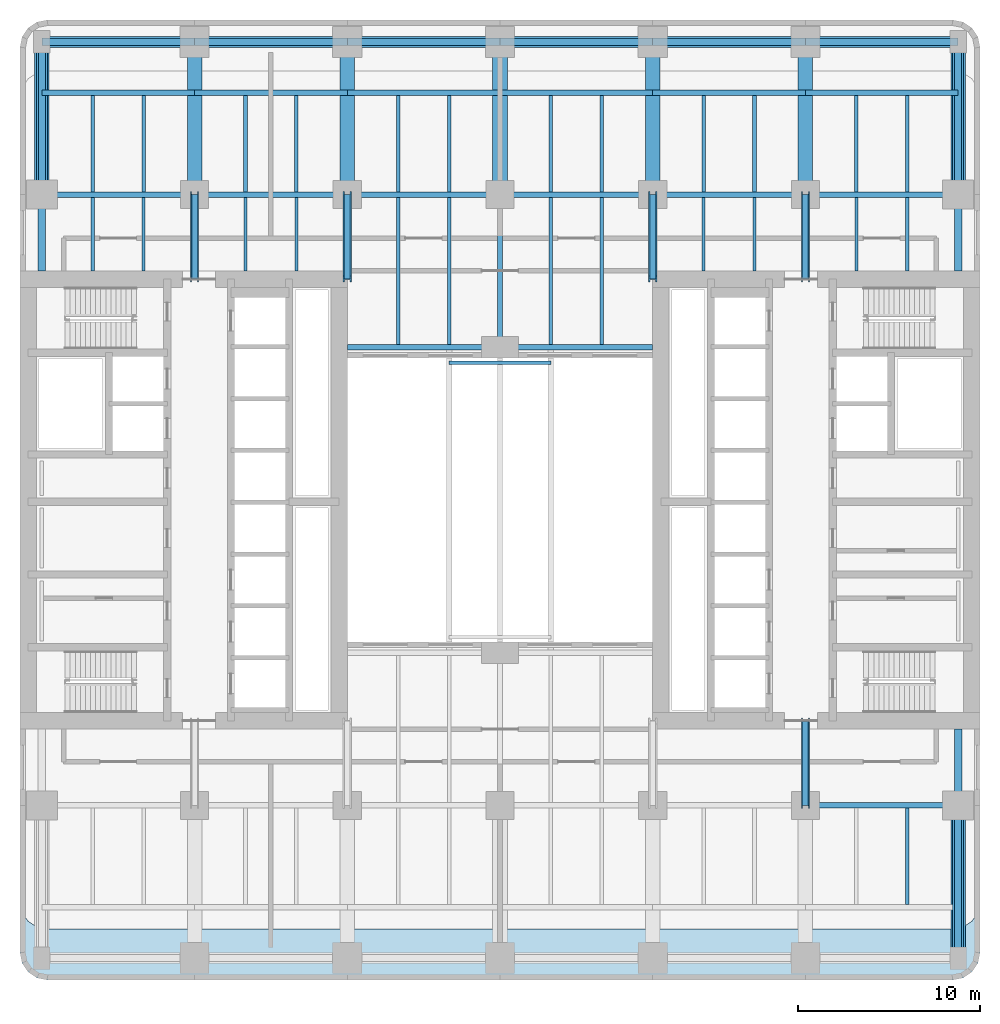
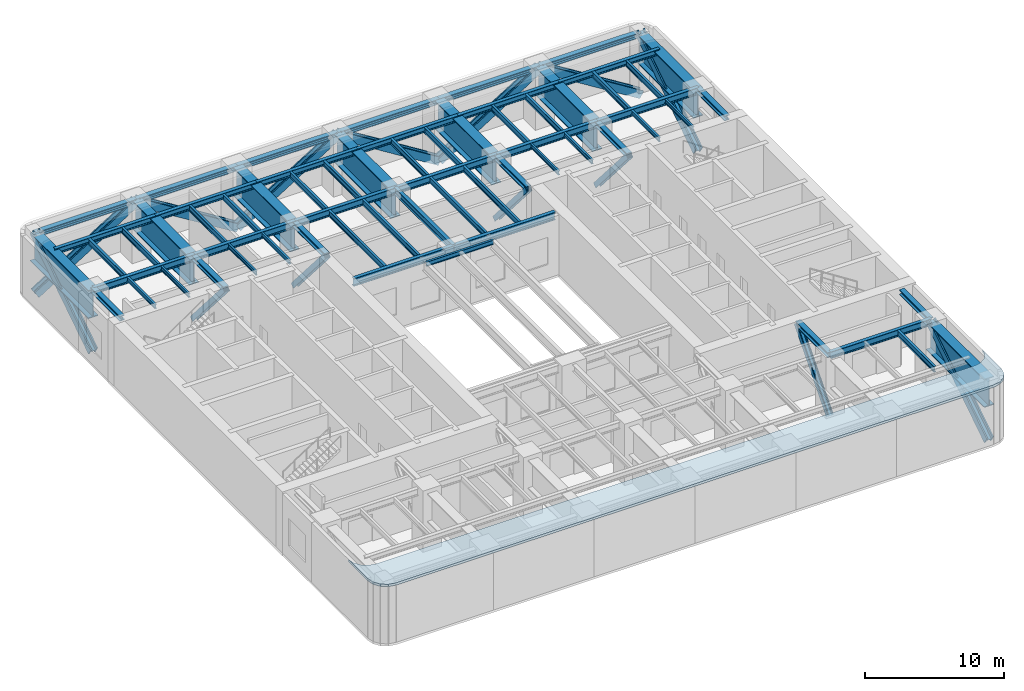
# One storey, part 2 of 11: 64 beams, 14 members, 1 slab.
"""IFC4 building model written with IfcOpenShell, lengths in metres."""

from ifc_helpers import new_model, si_unit, direction, frame, origin, origin_2d, place, context, subcontext, project, spatial, polyline, i_section, outline, extrude, material, layer, layer_set, material_profile, profile_set, type_object, element, save


model = new_model("IFC4")

# Units and contexts
model_context = context("Model", 3, precision=1e-05, world=origin(), true_north=direction((0.0, 1.0)))
body_context = subcontext(model_context, "Body", "Model", "MODEL_VIEW")
ifc_project = project(units=[si_unit("LENGTHUNIT", "METRE"), si_unit("AREAUNIT", "SQUARE_METRE"), si_unit("VOLUMEUNIT", "CUBIC_METRE"), si_unit("PLANEANGLEUNIT", "RADIAN"), si_unit("MASSUNIT", "GRAM", prefix="KILO")], contexts=[model_context])

# Site, building, storey
site_placement = place(None, origin())
site = spatial("IfcSite", under=ifc_project, at=site_placement, CompositionType="ELEMENT")
building_placement = place(site_placement, origin())
building = spatial("IfcBuilding", under=site, at=building_placement, Name="Claustro Exchange Tower", CompositionType="ELEMENT")
storey_placement = place(building_placement, frame((0.0, 0.0, 90.89990234375)))
storey = spatial("IfcBuildingStorey", under=building, at=storey_placement, Name="L20", CompositionType="ELEMENT", Elevation=90.89990234375)

# Beams
ifc_material_1 = material(Name="Steel S355", Category="steel")
ifc_material_profile_1 = material_profile(ifc_material_1, i_section(OverallWidth=0.300048828125, OverallDepth=0.60009765625, WebThickness=0.015380859375, FlangeThickness=0.030029296875, FilletRadius=0.027099609375, at=origin_2d()), Name="HE 600 B")
ifc_profile_set_1 = profile_set([ifc_material_profile_1], Name="Steel S355")
beam_type_1 = type_object("IfcBeamType", Name="B1 HE 600 B floor girder", PredefinedType="BEAM", material=ifc_profile_set_1)
for number, where, z_axis, x_axis, name in (
    (1, (25.199951171875, 33.60009765625, 4.940185546875), (0.0, 1.0, 0.0), (-1.0, 0.0, 0.0), "Beam B1 L21"),
    (2, (42.0, 8.39990234375, 4.940185546875), (1.0, 0.0, 0.0), (0.0, 1.0, 0.0), "Beam B1 L21"),
    (3, (0.0, 42.0, 4.940185546875), (1.0, 0.0, 0.0), (0.0, 1.0, 0.0), "Beam B1 L21"),
):
    element("IfcBeam", number, at=place(storey_placement, frame(where, z_axis=z_axis, x_axis=x_axis)), inside=storey, type_object=beam_type_1, Name=name, PredefinedType="BEAM", context=body_context, shape_type="SweptSolid", body=[
        extrude(i_section(OverallWidth=0.300048828125, OverallDepth=0.60009765625, WebThickness=0.015380859375, FlangeThickness=0.030029296875, FilletRadius=0.027099609375, at=origin_2d()), origin(), (0.0, 0.0, 1.0), 8.39990234375),
    ])
beam_1_placement = place(storey_placement, frame((8.39990234375, 42.0, 4.940185546875), z_axis=(1.0, 0.0, 0.0), x_axis=(0.0, 1.0, 0.0)))
element("IfcBeam", 4, at=beam_1_placement, inside=storey, type_object=beam_type_1, Name="Beam B1 L21", PredefinedType="BEAM", context=body_context, shape_type="SweptSolid", body=[
    extrude(i_section(OverallWidth=0.300048828125, OverallDepth=0.60009765625, WebThickness=0.015380859375, FlangeThickness=0.030029296875, FilletRadius=0.027099609375, at=origin_2d()), origin(), (0.0, 0.0, 1.0), 8.400146484375),
])
beam_2_placement = place(storey_placement, frame((16.800048828125, 42.0, 4.940185546875), z_axis=(1.0, 0.0, 0.0), x_axis=(0.0, 1.0, 0.0)))
element("IfcBeam", 5, at=beam_2_placement, inside=storey, type_object=beam_type_1, Name="Beam B1 L21", PredefinedType="BEAM", context=body_context, shape_type="SweptSolid", body=[
    extrude(i_section(OverallWidth=0.300048828125, OverallDepth=0.60009765625, WebThickness=0.015380859375, FlangeThickness=0.030029296875, FilletRadius=0.027099609375, at=origin_2d()), origin(), (0.0, 0.0, 1.0), 8.39990234375),
])
beam_3_placement = place(storey_placement, frame((25.199951171875, 42.0, 4.940185546875), z_axis=(1.0, 0.0, 0.0), x_axis=(0.0, 1.0, 0.0)))
element("IfcBeam", 6, at=beam_3_placement, inside=storey, type_object=beam_type_1, Name="Beam B1 L21", PredefinedType="BEAM", context=body_context, shape_type="SweptSolid", body=[
    extrude(i_section(OverallWidth=0.300048828125, OverallDepth=0.60009765625, WebThickness=0.015380859375, FlangeThickness=0.030029296875, FilletRadius=0.027099609375, at=origin_2d()), origin(), (0.0, 0.0, 1.0), 8.400146484375),
])
for number, where, z_axis, x_axis, name in (
    (7, (33.60009765625, 42.0, 4.940185546875), (1.0, 0.0, 0.0), (0.0, 1.0, 0.0), "Beam B1 L21"),
    (8, (42.0, 42.0, 4.940185546875), (1.0, 0.0, 0.0), (0.0, 1.0, 0.0), "Beam B1 L21"),
):
    element("IfcBeam", number, at=place(storey_placement, frame(where, z_axis=z_axis, x_axis=x_axis)), inside=storey, type_object=beam_type_1, Name=name, PredefinedType="BEAM", context=body_context, shape_type="SweptSolid", body=[
        extrude(i_section(OverallWidth=0.300048828125, OverallDepth=0.60009765625, WebThickness=0.015380859375, FlangeThickness=0.030029296875, FilletRadius=0.027099609375, at=origin_2d()), origin(), (0.0, 0.0, 1.0), 8.39990234375),
    ])
ifc_material_2 = material(Name="Steel S355", Category="steel")
ifc_material_profile_2 = material_profile(ifc_material_2, i_section(OverallWidth=0.300048828125, OverallDepth=0.68994140625, WebThickness=0.014404296875, FlangeThickness=0.027099609375, FilletRadius=0.027099609375, at=origin_2d()), Name="HE 700 A")
ifc_profile_set_2 = profile_set([ifc_material_profile_2], Name="Steel S355")
beam_type_2 = type_object("IfcBeamType", Name="B13 HE 700 A light well edge girder", PredefinedType="BEAM", material=ifc_profile_set_2)
beam_4_placement = place(storey_placement, frame((16.800048828125, 33.60009765625, 4.89501953125), z_axis=(1.0, 0.0, 0.0), x_axis=(0.0, 1.0, 0.0)))
element("IfcBeam", 9, at=beam_4_placement, inside=storey, type_object=beam_type_2, Name="Beam B13 L21", PredefinedType="BEAM", context=body_context, shape_type="SweptSolid", body=[
    extrude(i_section(OverallWidth=0.300048828125, OverallDepth=0.68994140625, WebThickness=0.014404296875, FlangeThickness=0.027099609375, FilletRadius=0.027099609375, at=origin_2d()), origin(), (0.0, 0.0, 1.0), 8.39990234375),
])
beam_5_placement = place(storey_placement, frame((25.199951171875, 33.60009765625, 4.89501953125), z_axis=(1.0, 0.0, 0.0), x_axis=(0.0, 1.0, 0.0)))
element("IfcBeam", 10, at=beam_5_placement, inside=storey, type_object=beam_type_2, Name="Beam B13 L21", PredefinedType="BEAM", context=body_context, shape_type="SweptSolid", body=[
    extrude(i_section(OverallWidth=0.300048828125, OverallDepth=0.68994140625, WebThickness=0.014404296875, FlangeThickness=0.027099609375, FilletRadius=0.027099609375, at=origin_2d()), origin(), (0.0, 0.0, 1.0), 8.400146484375),
])
ifc_material_3 = material(Name="Steel S355", Category="steel")
ifc_material_profile_3 = material_profile(ifc_material_3, i_section(OverallWidth=0.169921875, OverallDepth=0.360107421875, WebThickness=0.008056640625, FlangeThickness=0.0126953125, FilletRadius=0.01806640625, at=origin_2d()), Name="IPE 360")
ifc_profile_set_3 = profile_set([ifc_material_profile_3], Name="Steel S355")
beam_type_3 = type_object("IfcBeamType", Name="B16 IPE 360 short-span beam", PredefinedType="BEAM", material=ifc_profile_set_3)
for number, where, z_axis, x_axis, name in (
    (11, (2.800048828125, 37.7900390625, 5.06005859375), (0.0, 1.0, 0.0), (-1.0, 0.0, 0.0), "Beam B16 L21"),
    (12, (5.60009765625, 37.7900390625, 5.06005859375), (0.0, 1.0, 0.0), (-1.0, 0.0, 0.0), "Beam B16 L21"),
    (13, (11.199951171875, 37.7900390625, 5.06005859375), (0.0, 1.0, 0.0), (-1.0, 0.0, 0.0), "Beam B16 L21"),
    (14, (14.0, 37.7900390625, 5.06005859375), (0.0, 1.0, 0.0), (-1.0, 0.0, 0.0), "Beam B16 L21"),
    (15, (36.39990234375, 37.7900390625, 5.06005859375), (0.0, 1.0, 0.0), (-1.0, 0.0, 0.0), "Beam B16 L21"),
    (16, (39.199951171875, 37.7900390625, 5.06005859375), (0.0, 1.0, 0.0), (-1.0, 0.0, 0.0), "Beam B16 L21"),
    (17, (44.800048828125, 37.7900390625, 5.06005859375), (0.0, 1.0, 0.0), (-1.0, 0.0, 0.0), "Beam B16 L21"),
    (18, (47.60009765625, 37.7900390625, 5.06005859375), (0.0, 1.0, 0.0), (-1.0, 0.0, 0.0), "Beam B16 L21"),
):
    element("IfcBeam", number, at=place(storey_placement, frame(where, z_axis=z_axis, x_axis=x_axis)), inside=storey, type_object=beam_type_3, Name=name, PredefinedType="BEAM", context=body_context, shape_type="SweptSolid", body=[
        extrude(i_section(OverallWidth=0.169921875, OverallDepth=0.360107421875, WebThickness=0.008056640625, FlangeThickness=0.0126953125, FilletRadius=0.01806640625, at=origin_2d()), origin(), (0.0, 0.0, 1.0), 4.06005859375),
    ])
ifc_material_4 = material(Name="Steel S355", Category="steel")
ifc_material_profile_4 = material_profile(ifc_material_4, i_section(OverallWidth=0.199951171875, OverallDepth=0.5, WebThickness=0.01025390625, FlangeThickness=0.01611328125, FilletRadius=0.02099609375, at=origin_2d()), Name="IPE 500")
ifc_profile_set_4 = profile_set([ifc_material_profile_4], Name="Steel S355")
beam_type_4 = type_object("IfcBeamType", Name="B2 IPE 500 secondary beam", PredefinedType="BEAM", material=ifc_profile_set_4)
for number, where, z_axis, x_axis, name in (
    (19, (2.800048828125, 42.14990234375, 4.989990234375), (0.0, 1.0, 0.0), (-1.0, 0.0, 0.0), "Beam B2 L21"),
    (20, (5.60009765625, 42.14990234375, 4.989990234375), (0.0, 1.0, 0.0), (-1.0, 0.0, 0.0), "Beam B2 L21"),
    (21, (11.199951171875, 42.14990234375, 4.989990234375), (0.0, 1.0, 0.0), (-1.0, 0.0, 0.0), "Beam B2 L21"),
    (22, (14.0, 42.14990234375, 4.989990234375), (0.0, 1.0, 0.0), (-1.0, 0.0, 0.0), "Beam B2 L21"),
):
    element("IfcBeam", number, at=place(storey_placement, frame(where, z_axis=z_axis, x_axis=x_axis)), inside=storey, type_object=beam_type_4, Name=name, PredefinedType="BEAM", context=body_context, shape_type="SweptSolid", body=[
        extrude(i_section(OverallWidth=0.199951171875, OverallDepth=0.5, WebThickness=0.01025390625, FlangeThickness=0.01611328125, FilletRadius=0.02099609375, at=origin_2d()), origin(), (0.0, 0.0, 1.0), 5.300048828125),
    ])
for number, where, z_axis, x_axis, name in (
    (23, (19.60009765625, 33.75, 4.989990234375), (0.0, 1.0, 0.0), (-1.0, 0.0, 0.0), "Beam B2 L21"),
    (24, (22.39990234375, 33.75, 4.989990234375), (0.0, 1.0, 0.0), (-1.0, 0.0, 0.0), "Beam B2 L21"),
):
    element("IfcBeam", number, at=place(storey_placement, frame(where, z_axis=z_axis, x_axis=x_axis)), inside=storey, type_object=beam_type_4, Name=name, PredefinedType="BEAM", context=body_context, shape_type="SweptSolid", body=[
        extrude(i_section(OverallWidth=0.199951171875, OverallDepth=0.5, WebThickness=0.01025390625, FlangeThickness=0.01611328125, FilletRadius=0.02099609375, at=origin_2d()), origin(), (0.0, 0.0, 1.0), 8.10009765625),
    ])
for number, where, z_axis, x_axis, name in (
    (25, (19.60009765625, 42.14990234375, 4.989990234375), (0.0, 1.0, 0.0), (-1.0, 0.0, 0.0), "Beam B2 L21"),
    (26, (22.39990234375, 42.14990234375, 4.989990234375), (0.0, 1.0, 0.0), (-1.0, 0.0, 0.0), "Beam B2 L21"),
):
    element("IfcBeam", number, at=place(storey_placement, frame(where, z_axis=z_axis, x_axis=x_axis)), inside=storey, type_object=beam_type_4, Name=name, PredefinedType="BEAM", context=body_context, shape_type="SweptSolid", body=[
        extrude(i_section(OverallWidth=0.199951171875, OverallDepth=0.5, WebThickness=0.01025390625, FlangeThickness=0.01611328125, FilletRadius=0.02099609375, at=origin_2d()), origin(), (0.0, 0.0, 1.0), 5.300048828125),
    ])
for number, where, z_axis, x_axis, name in (
    (27, (28.0, 33.75, 4.989990234375), (0.0, 1.0, 0.0), (-1.0, 0.0, 0.0), "Beam B2 L21"),
    (28, (30.800048828125, 33.75, 4.989990234375), (0.0, 1.0, 0.0), (-1.0, 0.0, 0.0), "Beam B2 L21"),
):
    element("IfcBeam", number, at=place(storey_placement, frame(where, z_axis=z_axis, x_axis=x_axis)), inside=storey, type_object=beam_type_4, Name=name, PredefinedType="BEAM", context=body_context, shape_type="SweptSolid", body=[
        extrude(i_section(OverallWidth=0.199951171875, OverallDepth=0.5, WebThickness=0.01025390625, FlangeThickness=0.01611328125, FilletRadius=0.02099609375, at=origin_2d()), origin(), (0.0, 0.0, 1.0), 8.10009765625),
    ])
for number, where, z_axis, x_axis, name in (
    (29, (28.0, 42.14990234375, 4.989990234375), (0.0, 1.0, 0.0), (-1.0, 0.0, 0.0), "Beam B2 L21"),
    (30, (30.800048828125, 42.14990234375, 4.989990234375), (0.0, 1.0, 0.0), (-1.0, 0.0, 0.0), "Beam B2 L21"),
    (31, (36.39990234375, 42.14990234375, 4.989990234375), (0.0, 1.0, 0.0), (-1.0, 0.0, 0.0), "Beam B2 L21"),
    (32, (39.199951171875, 42.14990234375, 4.989990234375), (0.0, 1.0, 0.0), (-1.0, 0.0, 0.0), "Beam B2 L21"),
    (33, (47.60009765625, 2.949951171875, 4.989990234375), (0.0, 1.0, 0.0), (-1.0, 0.0, 0.0), "Beam B2 L21"),
    (34, (44.800048828125, 42.14990234375, 4.989990234375), (0.0, 1.0, 0.0), (-1.0, 0.0, 0.0), "Beam B2 L21"),
    (35, (47.60009765625, 42.14990234375, 4.989990234375), (0.0, 1.0, 0.0), (-1.0, 0.0, 0.0), "Beam B2 L21"),
):
    element("IfcBeam", number, at=place(storey_placement, frame(where, z_axis=z_axis, x_axis=x_axis)), inside=storey, type_object=beam_type_4, Name=name, PredefinedType="BEAM", context=body_context, shape_type="SweptSolid", body=[
        extrude(i_section(OverallWidth=0.199951171875, OverallDepth=0.5, WebThickness=0.01025390625, FlangeThickness=0.01611328125, FilletRadius=0.02099609375, at=origin_2d()), origin(), (0.0, 0.0, 1.0), 5.300048828125),
    ])
ifc_material_5 = material(Name="Steel S355", Category="steel")
ifc_material_profile_5 = material_profile(ifc_material_5, i_section(OverallWidth=0.179931640625, OverallDepth=0.39990234375, WebThickness=0.008544921875, FlangeThickness=0.013427734375, FilletRadius=0.02099609375, at=origin_2d()), Name="IPE 400")
ifc_profile_set_5 = profile_set([ifc_material_profile_5], Name="Steel S355")
beam_type_5 = type_object("IfcBeamType", Name="B21 IPE 400 sky bridge end trimmer", PredefinedType="BEAM", material=ifc_profile_set_5)
beam_6_placement = place(storey_placement, frame((22.39990234375, 32.75, 5.02001953125), z_axis=(1.0, 0.0, 0.0), x_axis=(0.0, 1.0, 0.0)))
element("IfcBeam", 36, at=beam_6_placement, inside=storey, type_object=beam_type_5, Name="Sky bridge end trimmer B21 L21", PredefinedType="BEAM", context=body_context, shape_type="SweptSolid", body=[
    extrude(i_section(OverallWidth=0.179931640625, OverallDepth=0.39990234375, WebThickness=0.008544921875, FlangeThickness=0.013427734375, FilletRadius=0.02099609375, at=origin_2d()), origin(), (0.0, 0.0, 1.0), 5.60009765625),
])
ifc_material_6 = material(Name="Steel S355", Category="steel")
ifc_material_profile_6 = material_profile(ifc_material_6, i_section(OverallWidth=0.300048828125, OverallDepth=0.5, WebThickness=0.014404296875, FlangeThickness=0.028076171875, FilletRadius=0.027099609375, at=origin_2d()), Name="HE 500 B")
ifc_profile_set_6 = profile_set([ifc_material_profile_6], Name="Steel S355")
beam_type_6 = type_object("IfcBeamType", Name="B3 HE 500 B spandrel edge girder", PredefinedType="SPANDREL", material=ifc_profile_set_6)
beam_7_placement = place(storey_placement, frame((0.0, 47.60009765625, 4.989990234375), z_axis=(1.0, 0.0, 0.0), x_axis=(0.0, 1.0, 0.0)))
element("IfcBeam", 37, at=beam_7_placement, inside=storey, type_object=beam_type_6, Name="Beam B3 L21", PredefinedType="SPANDREL", context=body_context, shape_type="SweptSolid", body=[
    extrude(i_section(OverallWidth=0.300048828125, OverallDepth=0.5, WebThickness=0.014404296875, FlangeThickness=0.028076171875, FilletRadius=0.027099609375, at=origin_2d()), origin(), (0.0, 0.0, 1.0), 8.39990234375),
])
beam_8_placement = place(storey_placement, frame((8.39990234375, 47.60009765625, 4.989990234375), z_axis=(1.0, 0.0, 0.0), x_axis=(0.0, 1.0, 0.0)))
element("IfcBeam", 38, at=beam_8_placement, inside=storey, type_object=beam_type_6, Name="Beam B3 L21", PredefinedType="SPANDREL", context=body_context, shape_type="SweptSolid", body=[
    extrude(i_section(OverallWidth=0.300048828125, OverallDepth=0.5, WebThickness=0.014404296875, FlangeThickness=0.028076171875, FilletRadius=0.027099609375, at=origin_2d()), origin(), (0.0, 0.0, 1.0), 8.400146484375),
])
beam_9_placement = place(storey_placement, frame((16.800048828125, 47.60009765625, 4.989990234375), z_axis=(1.0, 0.0, 0.0), x_axis=(0.0, 1.0, 0.0)))
element("IfcBeam", 39, at=beam_9_placement, inside=storey, type_object=beam_type_6, Name="Beam B3 L21", PredefinedType="SPANDREL", context=body_context, shape_type="SweptSolid", body=[
    extrude(i_section(OverallWidth=0.300048828125, OverallDepth=0.5, WebThickness=0.014404296875, FlangeThickness=0.028076171875, FilletRadius=0.027099609375, at=origin_2d()), origin(), (0.0, 0.0, 1.0), 8.39990234375),
])
beam_10_placement = place(storey_placement, frame((25.199951171875, 47.60009765625, 4.989990234375), z_axis=(1.0, 0.0, 0.0), x_axis=(0.0, 1.0, 0.0)))
element("IfcBeam", 40, at=beam_10_placement, inside=storey, type_object=beam_type_6, Name="Beam B3 L21", PredefinedType="SPANDREL", context=body_context, shape_type="SweptSolid", body=[
    extrude(i_section(OverallWidth=0.300048828125, OverallDepth=0.5, WebThickness=0.014404296875, FlangeThickness=0.028076171875, FilletRadius=0.027099609375, at=origin_2d()), origin(), (0.0, 0.0, 1.0), 8.400146484375),
])
for number, where, z_axis, x_axis, name in (
    (41, (33.60009765625, 47.60009765625, 4.989990234375), (1.0, 0.0, 0.0), (0.0, 1.0, 0.0), "Beam B3 L21"),
    (42, (42.0, 47.60009765625, 4.989990234375), (1.0, 0.0, 0.0), (0.0, 1.0, 0.0), "Beam B3 L21"),
):
    element("IfcBeam", number, at=place(storey_placement, frame(where, z_axis=z_axis, x_axis=x_axis)), inside=storey, type_object=beam_type_6, Name=name, PredefinedType="SPANDREL", context=body_context, shape_type="SweptSolid", body=[
        extrude(i_section(OverallWidth=0.300048828125, OverallDepth=0.5, WebThickness=0.014404296875, FlangeThickness=0.028076171875, FilletRadius=0.027099609375, at=origin_2d()), origin(), (0.0, 0.0, 1.0), 8.39990234375),
    ])
ifc_material_7 = material(Name="Steel S460", Category="steel")
ifc_material_profile_7 = material_profile(ifc_material_7, i_section(OverallWidth=0.416015625, OverallDepth=0.446044921875, WebThickness=0.0390625, FlangeThickness=0.062744140625, FilletRadius=0.014892578125, at=origin_2d()), Name="HD 400x509")
ifc_profile_set_7 = profile_set([ifc_material_profile_7], Name="Steel S460")
beam_type_7 = type_object("IfcBeamType", Name="BT1 HD 400x509 belt truss chord", PredefinedType="BEAM", material=ifc_profile_set_7)
beam_11_placement = place(storey_placement, frame((0.0, 37.800048828125, 5.01708984375), z_axis=(0.0, 1.0, 0.0), x_axis=(-1.0, 0.0, 0.0)))
element("IfcBeam", 43, at=beam_11_placement, inside=storey, type_object=beam_type_7, Name="Beam BT1 L21", PredefinedType="BEAM", context=body_context, shape_type="SweptSolid", body=[
    extrude(i_section(OverallWidth=0.416015625, OverallDepth=0.446044921875, WebThickness=0.0390625, FlangeThickness=0.062744140625, FilletRadius=0.014892578125, at=origin_2d()), origin(), (0.0, 0.0, 1.0), 4.199951171875),
])
beam_12_placement = place(storey_placement, frame((50.39990234375, 8.39990234375, 5.01708984375), z_axis=(0.0, 1.0, 0.0), x_axis=(-1.0, 0.0, 0.0)))
element("IfcBeam", 44, at=beam_12_placement, inside=storey, type_object=beam_type_7, Name="Beam BT1 L21", PredefinedType="BEAM", context=body_context, shape_type="SweptSolid", body=[
    extrude(i_section(OverallWidth=0.416015625, OverallDepth=0.446044921875, WebThickness=0.0390625, FlangeThickness=0.062744140625, FilletRadius=0.014892578125, at=origin_2d()), origin(), (0.0, 0.0, 1.0), 4.2001953125),
])
beam_13_placement = place(storey_placement, frame((50.39990234375, 37.800048828125, 5.01708984375), z_axis=(0.0, 1.0, 0.0), x_axis=(-1.0, 0.0, 0.0)))
element("IfcBeam", 45, at=beam_13_placement, inside=storey, type_object=beam_type_7, Name="Beam BT1 L21", PredefinedType="BEAM", context=body_context, shape_type="SweptSolid", body=[
    extrude(i_section(OverallWidth=0.416015625, OverallDepth=0.446044921875, WebThickness=0.0390625, FlangeThickness=0.062744140625, FilletRadius=0.014892578125, at=origin_2d()), origin(), (0.0, 0.0, 1.0), 4.199951171875),
])
beam_14_placement = place(storey_placement, frame((0.0, 50.39990234375, 4.817138671875), z_axis=(1.0, 0.0, 0.0), x_axis=(0.0, 1.0, 0.0)))
element("IfcBeam", 46, at=beam_14_placement, inside=storey, type_object=beam_type_7, Name="Beam BT1 L21", PredefinedType="BEAM", context=body_context, shape_type="SweptSolid", body=[
    extrude(i_section(OverallWidth=0.416015625, OverallDepth=0.446044921875, WebThickness=0.0390625, FlangeThickness=0.062744140625, FilletRadius=0.014892578125, at=origin_2d()), origin(), (0.0, 0.0, 1.0), 8.39990234375),
])
beam_15_placement = place(storey_placement, frame((8.39990234375, 50.39990234375, 4.817138671875), z_axis=(1.0, 0.0, 0.0), x_axis=(0.0, 1.0, 0.0)))
element("IfcBeam", 47, at=beam_15_placement, inside=storey, type_object=beam_type_7, Name="Beam BT1 L21", PredefinedType="BEAM", context=body_context, shape_type="SweptSolid", body=[
    extrude(i_section(OverallWidth=0.416015625, OverallDepth=0.446044921875, WebThickness=0.0390625, FlangeThickness=0.062744140625, FilletRadius=0.014892578125, at=origin_2d()), origin(), (0.0, 0.0, 1.0), 8.400146484375),
])
beam_16_placement = place(storey_placement, frame((16.800048828125, 50.39990234375, 4.817138671875), z_axis=(1.0, 0.0, 0.0), x_axis=(0.0, 1.0, 0.0)))
element("IfcBeam", 48, at=beam_16_placement, inside=storey, type_object=beam_type_7, Name="Beam BT1 L21", PredefinedType="BEAM", context=body_context, shape_type="SweptSolid", body=[
    extrude(i_section(OverallWidth=0.416015625, OverallDepth=0.446044921875, WebThickness=0.0390625, FlangeThickness=0.062744140625, FilletRadius=0.014892578125, at=origin_2d()), origin(), (0.0, 0.0, 1.0), 8.39990234375),
])
beam_17_placement = place(storey_placement, frame((25.199951171875, 50.39990234375, 4.817138671875), z_axis=(1.0, 0.0, 0.0), x_axis=(0.0, 1.0, 0.0)))
element("IfcBeam", 49, at=beam_17_placement, inside=storey, type_object=beam_type_7, Name="Beam BT1 L21", PredefinedType="BEAM", context=body_context, shape_type="SweptSolid", body=[
    extrude(i_section(OverallWidth=0.416015625, OverallDepth=0.446044921875, WebThickness=0.0390625, FlangeThickness=0.062744140625, FilletRadius=0.014892578125, at=origin_2d()), origin(), (0.0, 0.0, 1.0), 8.400146484375),
])
for number, where, z_axis, x_axis, name in (
    (50, (33.60009765625, 50.39990234375, 4.817138671875), (1.0, 0.0, 0.0), (0.0, 1.0, 0.0), "Beam BT1 L21"),
    (51, (42.0, 50.39990234375, 4.817138671875), (1.0, 0.0, 0.0), (0.0, 1.0, 0.0), "Beam BT1 L21"),
):
    element("IfcBeam", number, at=place(storey_placement, frame(where, z_axis=z_axis, x_axis=x_axis)), inside=storey, type_object=beam_type_7, Name=name, PredefinedType="BEAM", context=body_context, shape_type="SweptSolid", body=[
        extrude(i_section(OverallWidth=0.416015625, OverallDepth=0.446044921875, WebThickness=0.0390625, FlangeThickness=0.062744140625, FilletRadius=0.014892578125, at=origin_2d()), origin(), (0.0, 0.0, 1.0), 8.39990234375),
    ])

# Members
ifc_material_8 = material(Name="Steel S460", Category="steel")
ifc_material_profile_8 = material_profile(ifc_material_8, i_section(OverallWidth=0.64990234375, OverallDepth=0.60009765625, WebThickness=0.06005859375, FlangeThickness=0.110107421875, at=origin_2d()), Name="PG 600x650")
ifc_profile_set_8 = profile_set([ifc_material_profile_8], Name="Steel S460")
member_type_1 = type_object("IfcMemberType", Name="BT2 PG 600x650 belt truss diagonal", PredefinedType="BRACE", material=ifc_profile_set_8)
for number, where, z_axis, x_axis, name in (
    (52, (0.0, 50.39990234375, -0.4228515625), (0.84844963308, 0.0, 0.529276128431), (-0.529276128431, 0.0, 0.84844963308), "Belt truss diagonal BT2 L20"),
    (53, (16.800048828125, 50.39990234375, -0.4228515625), (-0.848456540929, 0.0, 0.529265054726), (0.529265054726, 0.0, 0.848456540929), "Belt truss diagonal BT2 L20"),
    (54, (16.800048828125, 50.39990234375, -0.4228515625), (0.84844963308, 0.0, 0.529276128431), (-0.529276128431, 0.0, 0.84844963308), "Belt truss diagonal BT2 L20"),
    (55, (33.60009765625, 50.39990234375, -0.4228515625), (-0.848456540929, 0.0, 0.529265054726), (0.529265054726, 0.0, 0.848456540929), "Belt truss diagonal BT2 L20"),
    (56, (33.60009765625, 50.39990234375, -0.4228515625), (0.84844963308, 0.0, 0.529276128431), (-0.529276128431, 0.0, 0.84844963308), "Belt truss diagonal BT2 L20"),
    (57, (50.39990234375, 50.39990234375, -0.4228515625), (-0.84844963308, 0.0, 0.529276128431), (0.529276128431, 0.0, 0.84844963308), "Belt truss diagonal BT2 L20"),
):
    element("IfcMember", number, at=place(storey_placement, frame(where, z_axis=z_axis, x_axis=x_axis)), inside=storey, type_object=member_type_1, Name=name, PredefinedType="BRACE", context=body_context, shape_type="SweptSolid", body=[
        extrude(i_section(OverallWidth=0.64990234375, OverallDepth=0.60009765625, WebThickness=0.06005859375, FlangeThickness=0.110107421875, at=origin_2d()), origin(), (0.0, 0.0, 1.0), 9.900390625),
    ])
for number, where, z_axis, x_axis, name in (
    (58, (0.0, 42.0, -0.4228515625), (0.0, 0.839355410214, 0.543583016055), (0.0, -0.543583016055, 0.839355410214), "Belt truss diagonal BT2 L20"),
    (59, (50.39990234375, 0.0, -0.4228515625), (0.0, 0.839355410214, 0.543583016055), (0.0, -0.543583016055, 0.839355410214), "Belt truss diagonal BT2 L20"),
    (60, (50.39990234375, 42.0, -0.4228515625), (0.0, 0.839355410214, 0.543583016055), (0.0, -0.543583016055, 0.839355410214), "Belt truss diagonal BT2 L20"),
):
    element("IfcMember", number, at=place(storey_placement, frame(where, z_axis=z_axis, x_axis=x_axis)), inside=storey, type_object=member_type_1, Name=name, PredefinedType="BRACE", context=body_context, shape_type="SweptSolid", body=[
        extrude(i_section(OverallWidth=0.64990234375, OverallDepth=0.60009765625, WebThickness=0.06005859375, FlangeThickness=0.110107421875, at=origin_2d()), origin(), (0.0, 0.0, 1.0), 10.007568359375),
    ])

# Beams
ifc_material_9 = material(Name="Steel S460", Category="steel")
ifc_material_profile_9 = material_profile(ifc_material_9, i_section(OverallWidth=0.416015625, OverallDepth=0.446044921875, WebThickness=0.0390625, FlangeThickness=0.062744140625, FilletRadius=0.014892578125, at=origin_2d()), Name="HD 400x509")
ifc_profile_set_9 = profile_set([ifc_material_profile_9], Name="Steel S460")
beam_type_8 = type_object("IfcBeamType", Name="OT1 HD 400x509 OUTRIGGER truss chord", PredefinedType="BEAM", material=ifc_profile_set_9)
for number, where, z_axis, x_axis, name in (
    (61, (8.39990234375, 37.35009765625, 4.927001953125), (0.0, 1.0, 0.0), (-1.0, 0.0, 0.0), "Beam OT1 L21"),
    (62, (16.800048828125, 37.35009765625, 4.927001953125), (0.0, 1.0, 0.0), (-1.0, 0.0, 0.0), "Beam OT1 L21"),
    (63, (33.60009765625, 37.35009765625, 4.927001953125), (0.0, 1.0, 0.0), (-1.0, 0.0, 0.0), "Beam OT1 L21"),
):
    element("IfcBeam", number, at=place(storey_placement, frame(where, z_axis=z_axis, x_axis=x_axis)), inside=storey, type_object=beam_type_8, Name=name, PredefinedType="BEAM", context=body_context, shape_type="SweptSolid", body=[
        extrude(i_section(OverallWidth=0.416015625, OverallDepth=0.446044921875, WebThickness=0.0390625, FlangeThickness=0.062744140625, FilletRadius=0.014892578125, at=origin_2d()), origin(), (0.0, 0.0, 1.0), 4.64990234375),
    ])
beam_18_placement = place(storey_placement, frame((42.0, 8.39990234375, 4.927001953125), z_axis=(0.0, 1.0, 0.0), x_axis=(-1.0, 0.0, 0.0)))
element("IfcBeam", 64, at=beam_18_placement, inside=storey, type_object=beam_type_8, Name="Beam OT1 L21", PredefinedType="BEAM", context=body_context, shape_type="SweptSolid", body=[
    extrude(i_section(OverallWidth=0.416015625, OverallDepth=0.446044921875, WebThickness=0.0390625, FlangeThickness=0.062744140625, FilletRadius=0.014892578125, at=origin_2d()), origin(), (0.0, 0.0, 1.0), 4.650146484375),
])
beam_19_placement = place(storey_placement, frame((42.0, 37.35009765625, 4.927001953125), z_axis=(0.0, 1.0, 0.0), x_axis=(-1.0, 0.0, 0.0)))
element("IfcBeam", 65, at=beam_19_placement, inside=storey, type_object=beam_type_8, Name="Beam OT1 L21", PredefinedType="BEAM", context=body_context, shape_type="SweptSolid", body=[
    extrude(i_section(OverallWidth=0.416015625, OverallDepth=0.446044921875, WebThickness=0.0390625, FlangeThickness=0.062744140625, FilletRadius=0.014892578125, at=origin_2d()), origin(), (0.0, 0.0, 1.0), 4.64990234375),
])

# Members
ifc_material_10 = material(Name="Steel S460", Category="steel")
ifc_material_profile_10 = material_profile(ifc_material_10, i_section(OverallWidth=0.416015625, OverallDepth=0.446044921875, WebThickness=0.0390625, FlangeThickness=0.062744140625, FilletRadius=0.014892578125, at=origin_2d()), Name="HD 400x509")
ifc_profile_set_10 = profile_set([ifc_material_profile_10], Name="Steel S460")
member_type_2 = type_object("IfcMemberType", Name="OT2 HD 400x509 OUTRIGGER truss diagonal", PredefinedType="BRACE", material=ifc_profile_set_10)
for number, where, z_axis, x_axis, name in (
    (66, (8.39990234375, 42.0, -0.472900390625), (0.0, -0.652522042429, 0.757769743487), (0.0, 0.757769743487, 0.652522042429), "Outrigger truss diagonal OT2 L20"),
    (67, (16.800048828125, 42.0, -0.472900390625), (0.0, -0.652522042429, 0.757769743487), (0.0, 0.757769743487, 0.652522042429), "Outrigger truss diagonal OT2 L20"),
    (68, (33.60009765625, 42.0, -0.472900390625), (0.0, -0.652522042429, 0.757769743487), (0.0, 0.757769743487, 0.652522042429), "Outrigger truss diagonal OT2 L20"),
):
    element("IfcMember", number, at=place(storey_placement, frame(where, z_axis=z_axis, x_axis=x_axis)), inside=storey, type_object=member_type_2, Name=name, PredefinedType="BRACE", context=body_context, shape_type="SweptSolid", body=[
        extrude(i_section(OverallWidth=0.416015625, OverallDepth=0.446044921875, WebThickness=0.0390625, FlangeThickness=0.062744140625, FilletRadius=0.014892578125, at=origin_2d()), origin(), (0.0, 0.0, 1.0), 7.1259765625),
    ])
member_1_placement = place(storey_placement, frame((42.0, 8.39990234375, -0.472900390625), z_axis=(0.0, 0.652541714558, 0.757752803203), x_axis=(0.0, -0.757752803203, 0.652541714558)))
element("IfcMember", 69, at=member_1_placement, inside=storey, type_object=member_type_2, Name="Outrigger truss diagonal OT2 L20", PredefinedType="BRACE", context=body_context, shape_type="SweptSolid", body=[
    extrude(i_section(OverallWidth=0.416015625, OverallDepth=0.446044921875, WebThickness=0.0390625, FlangeThickness=0.062744140625, FilletRadius=0.014892578125, at=origin_2d()), origin(), (0.0, 0.0, 1.0), 7.126220703125),
])
member_2_placement = place(storey_placement, frame((42.0, 42.0, -0.472900390625), z_axis=(0.0, -0.652522042429, 0.757769743487), x_axis=(0.0, 0.757769743487, 0.652522042429)))
element("IfcMember", 70, at=member_2_placement, inside=storey, type_object=member_type_2, Name="Outrigger truss diagonal OT2 L20", PredefinedType="BRACE", context=body_context, shape_type="SweptSolid", body=[
    extrude(i_section(OverallWidth=0.416015625, OverallDepth=0.446044921875, WebThickness=0.0390625, FlangeThickness=0.062744140625, FilletRadius=0.014892578125, at=origin_2d()), origin(), (0.0, 0.0, 1.0), 7.1259765625),
])

# Beams
ifc_material_11 = material(Name="Steel S460", Category="steel")
ifc_material_profile_11 = material_profile(ifc_material_11, i_section(OverallWidth=0.800048828125, OverallDepth=2.5, WebThickness=0.050048828125, FlangeThickness=0.080078125, at=origin_2d()), Name="PG 2500x800")
ifc_profile_set_11 = profile_set([ifc_material_profile_11], Name="Steel S460")
beam_type_9 = type_object("IfcBeamType", Name="TG1 PG 2500x800 transfer girder", PredefinedType="BEAM", material=ifc_profile_set_11)
for number, where, z_axis, x_axis, name in (
    (71, (0.0, 42.0, 3.7900390625), (0.0, 1.0, 0.0), (-1.0, 0.0, 0.0), "Beam TG1 L21"),
    (72, (8.39990234375, 42.0, 3.7900390625), (0.0, 1.0, 0.0), (-1.0, 0.0, 0.0), "Beam TG1 L21"),
    (73, (16.800048828125, 42.0, 3.7900390625), (0.0, 1.0, 0.0), (-1.0, 0.0, 0.0), "Beam TG1 L21"),
    (74, (25.199951171875, 42.0, 3.7900390625), (0.0, 1.0, 0.0), (-1.0, 0.0, 0.0), "Beam TG1 L21"),
    (75, (33.60009765625, 42.0, 3.7900390625), (0.0, 1.0, 0.0), (-1.0, 0.0, 0.0), "Beam TG1 L21"),
    (76, (42.0, 42.0, 3.7900390625), (0.0, 1.0, 0.0), (-1.0, 0.0, 0.0), "Beam TG1 L21"),
    (77, (50.39990234375, 0.0, 3.7900390625), (0.0, 1.0, 0.0), (-1.0, 0.0, 0.0), "Beam TG1 L21"),
    (78, (50.39990234375, 42.0, 3.7900390625), (0.0, 1.0, 0.0), (-1.0, 0.0, 0.0), "Beam TG1 L21"),
):
    element("IfcBeam", number, at=place(storey_placement, frame(where, z_axis=z_axis, x_axis=x_axis)), inside=storey, type_object=beam_type_9, Name=name, PredefinedType="BEAM", context=body_context, shape_type="SweptSolid", body=[
        extrude(i_section(OverallWidth=0.800048828125, OverallDepth=2.5, WebThickness=0.050048828125, FlangeThickness=0.080078125, at=origin_2d()), origin(), (0.0, 0.0, 1.0), 8.39990234375),
    ])

# Slab
ifc_material_12 = material(Name="Concrete HA-50 (C50/60)", Category="concrete")
ifc_layer = layer(ifc_material_12, 0.199951171875)
ifc_layer_set = layer_set([ifc_layer], Name="Concrete HA-50 (C50/60)")
slab_type = type_object("IfcSlabType", Name="S6 200 roof slab", PredefinedType="ROOF", material=ifc_layer_set)
slab_placement = place(storey_placement, frame((0.0, 0.0, 5.0400390625)))
element("IfcSlab", 79, at=slab_placement, inside=storey, type_object=slab_type, Name="Roof slab S6 S over L20", PredefinedType="ROOF", context=body_context, shape_type="SweptSolid", body=[
    extrude(outline(polyline([(-0.27392578125, -1.085693359375), (0.300048828125, -1.199951171875), (50.10009765625, -1.199951171875), (50.674072265625, -1.085693359375), (51.16064453125, -0.7607421875), (51.48583984375, -0.27392578125), (51.60009765625, 0.300048828125), (51.60009765625, 3.10009765625), (51.48583984375, 2.52587890625), (51.16064453125, 2.039306640625), (50.674072265625, 1.714111328125), (50.10009765625, 1.60009765625), (0.300048828125, 1.60009765625), (-0.27392578125, 1.714111328125), (-0.7607421875, 2.039306640625), (-1.085693359375, 2.52587890625), (-1.199951171875, 3.10009765625), (-1.199951171875, 0.300048828125), (-1.085693359375, -0.27392578125), (-0.7607421875, -0.7607421875), (-0.27392578125, -1.085693359375)])), origin(), (0.0, 0.0, 1.0), 0.199951171875),
])

save(model, "model.ifc")
